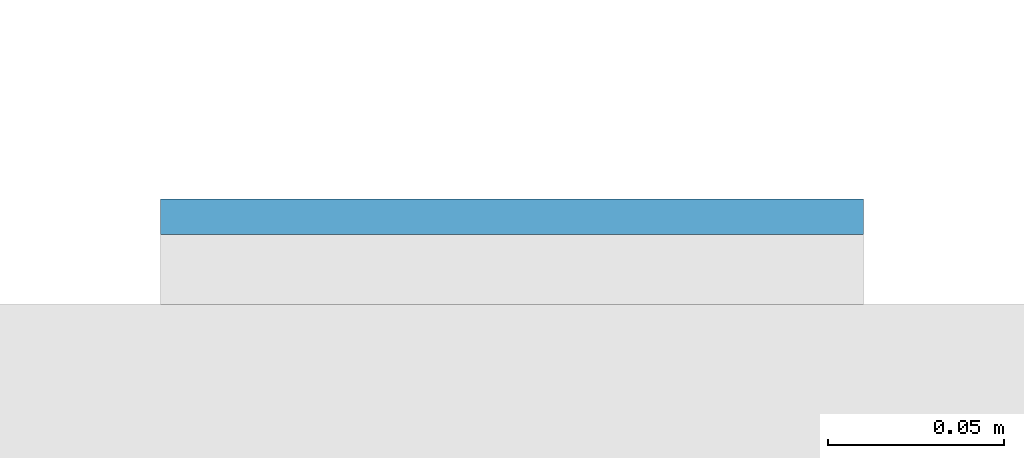
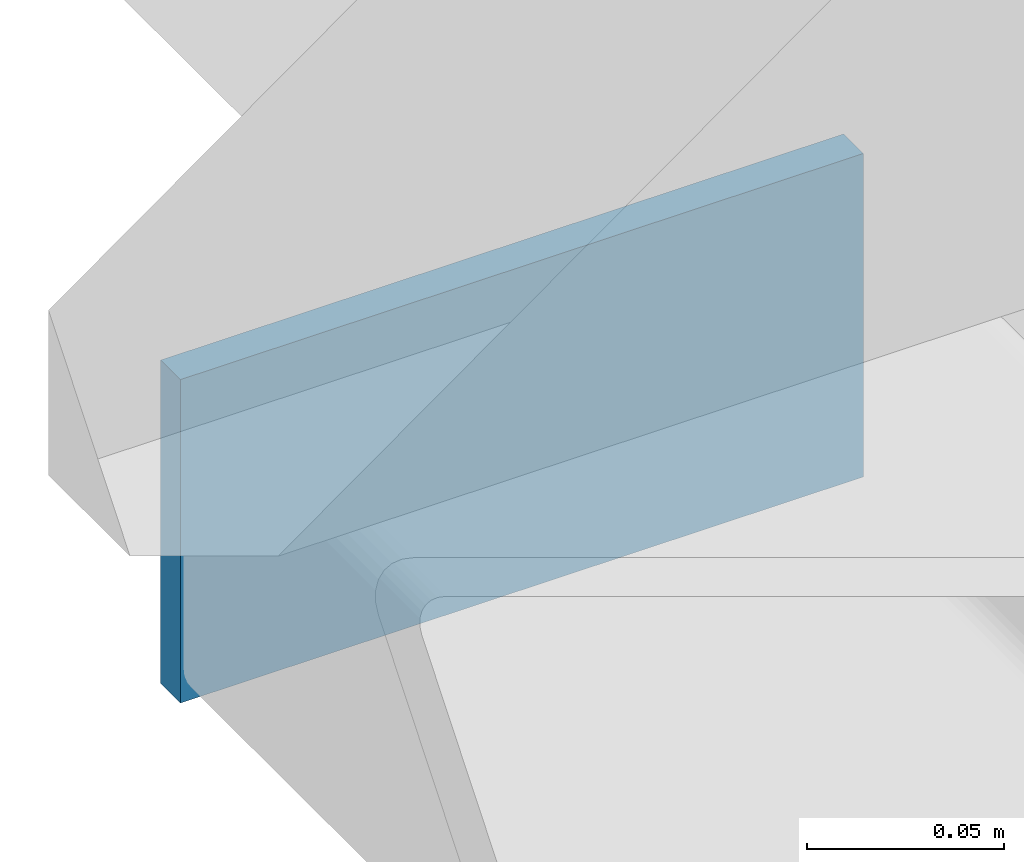
# One storey, part 9 of 20: 1 plate.
"""IFC4 building model written with IfcOpenShell, lengths in metres."""

from ifc_helpers import new_model, si_unit, direction, frame, origin, origin_2d, place, context, subcontext, project, spatial, rectangle, extrude, material, layer, layer_set, type_object, element, save


model = new_model("IFC4")

# Units and contexts
model_context = context("Model", 3, precision=1e-05, world=origin(), true_north=direction((0.0, 1.0)))
body_context = subcontext(model_context, "Body", "Model", "MODEL_VIEW")
ifc_project = project(units=[si_unit("LENGTHUNIT", "METRE"), si_unit("AREAUNIT", "SQUARE_METRE"), si_unit("VOLUMEUNIT", "CUBIC_METRE"), si_unit("PLANEANGLEUNIT", "RADIAN"), si_unit("MASSUNIT", "GRAM", prefix="KILO")], contexts=[model_context])

# Site, building, storey
site_placement = place(None, origin())
site = spatial("IfcSite", under=ifc_project, at=site_placement, CompositionType="ELEMENT")
building_placement = place(site_placement, origin())
building = spatial("IfcBuilding", under=site, at=building_placement, Name="Cleftline Residences", CompositionType="ELEMENT")
storey_placement = place(building_placement, frame((0.0, 0.0, 185.800048828125)))
storey = spatial("IfcBuildingStorey", under=building, at=storey_placement, Name="L48", CompositionType="ELEMENT", Elevation=185.800048828125)

# Plate
ifc_material = material(Name="Steel S355, hot-dip galvanised", Category="steel")
ifc_layer = layer(ifc_material, 0.010009765625)
ifc_layer_set = layer_set([ifc_layer], Name="BAGUETTE CARRIER END PLATE 200X100X10")
plate_type = type_object("IfcPlateType", Name="BAGUETTE CARRIER END PLATE 200X100X10", PredefinedType="USERDEFINED", material=ifc_layer_set)
plate_placement = place(storey_placement, frame((-0.85009765625, 44.304931640625, -0.10009765625), z_axis=(0.0, 0.0, 1.0), x_axis=(-1.0, 0.0, 0.0)))
element("IfcPlate", 1, at=plate_placement, inside=storey, type_object=plate_type, Name="Baguette carrier end plate", ObjectType="BAGUETTE CARRIER END PLATE", PredefinedType="USERDEFINED", context=body_context, shape_type="SweptSolid", body=[
    extrude(rectangle(XDim=0.199951171875, YDim=0.010009765625, at=origin_2d()), origin(), (0.0, 0.0, 1.0), 0.10009765625),
])

save(model, "model.ifc")
